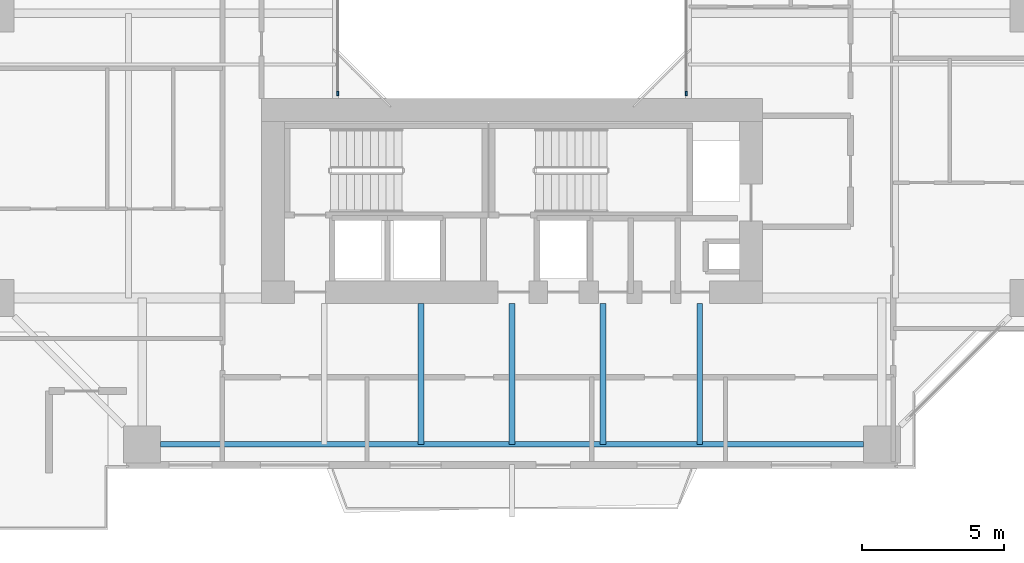
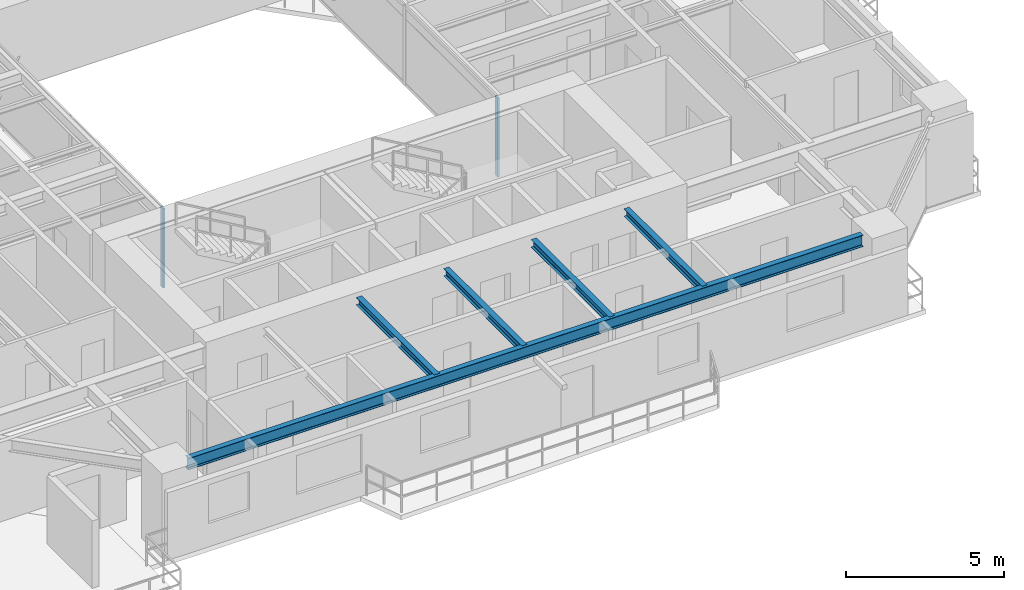
# One storey, part 2 of 22: 5 beams, 2 members, 2 elements without a shape of their own.
"""IFC4 building model written with IfcOpenShell, lengths in metres."""

import ifcopenshell
import ifcopenshell.guid

model = None  # the IFC model being written
_history = None  # IfcOwnerHistory: only IFC2X3 demands one
_inside = {}  # id of a spatial element -> (the spatial element, [elements in it])
_under = {}  # id of a project, library or spatial element -> (it, [spatial elements below it])
_declared = {}  # id of a project -> (the project, [libraries it declares])
_typed = {}  # id of a type object -> (the type object, [elements of that type])
_made_of = {}  # id of a material, layer set ... -> (it, [elements and type objects made of it])


def new_model(schema):
    """Start an empty IFC model of exactly this schema.

    Asked for "IFC4X3", IfcOpenShell would pick the latest addendum, in which some entities
    have other attributes; the version numbers below select the first issue.
    IFC2X3 requires an IfcOwnerHistory on every rooted entity: one is made here for all.
    """
    global model, _history
    if schema == "IFC4X3":
        model = ifcopenshell.file(schema_version=(4, 3, 0, 0))
    else:
        model = ifcopenshell.file(schema=schema)
    _inside.clear()
    _under.clear()
    _declared.clear()
    _typed.clear()
    _made_of.clear()
    _history = None
    if model.schema == "IFC2X3":
        org = make("IfcOrganization", Name="unknown")
        user = make(
            "IfcPersonAndOrganization",
            ThePerson=make("IfcPerson", FamilyName="unknown"),
            TheOrganization=org,
        )
        app = make(
            "IfcApplication",
            ApplicationDeveloper=org,
            Version="unknown",
            ApplicationFullName="unknown",
            ApplicationIdentifier="unknown",
        )
        _history = make(
            "IfcOwnerHistory",
            OwningUser=user,
            OwningApplication=app,
            ChangeAction="ADDED",
            CreationDate=0,
        )
    return model


def make(cls, **values):
    """One entity of the class cls with the attributes given. An attribute that is None is left unset."""
    return model.create_entity(
        cls, **{name: value for name, value in values.items() if value is not None}
    )


def rooted(cls, **values):
    """An entity with a GlobalId (a new one), such as an element, a storey or a relation."""
    return make(cls, GlobalId=ifcopenshell.guid.new(), OwnerHistory=_history, **values)


def si_unit(unit_type, name, prefix=None):
    """IfcSIUnit, for example si_unit("LENGTHUNIT", "METRE", prefix="MILLI")."""
    return make("IfcSIUnit", UnitType=unit_type, Prefix=prefix, Name=name)


def assignment(units):
    """IfcUnitAssignment: the units of a project."""
    return None if units is None else make("IfcUnitAssignment", Units=units)


def point(xyz):
    """IfcCartesianPoint."""
    return None if xyz is None else make("IfcCartesianPoint", Coordinates=xyz)


def direction(xyz):
    """IfcDirection."""
    return None if xyz is None else make("IfcDirection", DirectionRatios=xyz)


def frame(location, z_axis=None, x_axis=None):
    """IfcAxis2Placement3D, a coordinate frame: its origin and axes. An axis left out is left unset."""
    return make(
        "IfcAxis2Placement3D",
        Location=point(location),
        Axis=direction(z_axis),
        RefDirection=direction(x_axis),
    )


def frame_2d(location, x_axis=None):
    """IfcAxis2Placement2D, a coordinate frame in the plane: its origin and x axis."""
    return make(
        "IfcAxis2Placement2D", Location=point(location), RefDirection=direction(x_axis)
    )


def origin():
    """The frame at (0, 0, 0) with its axes left unset."""
    return frame((0.0, 0.0, 0.0))


def origin_2d():
    """The frame at (0, 0) in the plane with its x axis left unset."""
    return frame_2d((0.0, 0.0))


def place(relative_to, where):
    """IfcLocalPlacement: puts the frame where relative to a parent placement (None: the world)."""
    return make(
        "IfcLocalPlacement", PlacementRelTo=relative_to, RelativePlacement=where
    )


def context(
    kind, dimensions, precision=None, world=None, true_north=None, identifier=None
):
    """IfcGeometricRepresentationContext, for example the 3D "Model" context."""
    return make(
        "IfcGeometricRepresentationContext",
        ContextIdentifier=identifier,
        ContextType=kind,
        CoordinateSpaceDimension=dimensions,
        Precision=precision,
        WorldCoordinateSystem=world,
        TrueNorth=true_north,
    )


def subcontext(parent, identifier, kind, view, scale=None):
    """IfcGeometricRepresentationSubContext, for example "Body" below "Model"."""
    return make(
        "IfcGeometricRepresentationSubContext",
        ContextIdentifier=identifier,
        ContextType=kind,
        ParentContext=parent,
        TargetScale=scale,
        TargetView=view,
    )


def project(units=None, contexts=None):
    """IfcProject with its units and contexts."""
    return rooted(
        "IfcProject",
        Name="project",
        RepresentationContexts=contexts,
        UnitsInContext=assignment(units),
    )


def spatial(cls, under=None, at=None, **own):
    """A site, building, storey or space (cls), placed at a placement, below another one or the project."""
    s = rooted(cls, ObjectPlacement=at, **own)
    if under is not None:
        _under.setdefault(under.id(), (under, []))[1].append(s)
    return s


def profile(cls, at=None, kind="AREA", **sizes):
    """A parametric profile (cls). Its sizes go by their IFC names, for example OverallWidth=200.0."""
    return make(cls, ProfileType=kind, Position=at, **sizes)


def rectangle(**sizes):
    """IfcRectangleProfileDef."""
    return profile("IfcRectangleProfileDef", **sizes)


def i_section(**sizes):
    """IfcIShapeProfileDef."""
    return profile("IfcIShapeProfileDef", **sizes)


def extrude(swept, where, along, depth):
    """IfcExtrudedAreaSolid: the profile swept, set in the frame where, extruded along a direction by depth."""
    return make(
        "IfcExtrudedAreaSolid",
        SweptArea=swept,
        Position=where,
        ExtrudedDirection=direction(along),
        Depth=depth,
    )


def shape(context_of_items, identifier, shape_type, items):
    """IfcShapeRepresentation: the items that make up one representation, for example the "Body"."""
    return make(
        "IfcShapeRepresentation",
        ContextOfItems=context_of_items,
        RepresentationIdentifier=identifier,
        RepresentationType=shape_type,
        Items=items,
    )


def source(mapping_origin, context_of_items, identifier, shape_type, items):
    """IfcRepresentationMap: a shape defined once, which mapped items show again and again."""
    return make(
        "IfcRepresentationMap",
        MappingOrigin=mapping_origin,
        MappedRepresentation=shape(context_of_items, identifier, shape_type, items),
    )


def transform(
    local_origin,
    x_axis=None,
    y_axis=None,
    z_axis=None,
    scale=None,
    scale2=None,
    scale3=None,
    uniform=True,
):
    """IfcCartesianTransformationOperator3D, or its non-uniform kind. x_axis, y_axis, z_axis: its Axis1, 2, 3."""
    if uniform:
        return make(
            "IfcCartesianTransformationOperator3D",
            Axis1=direction(x_axis),
            Axis2=direction(y_axis),
            LocalOrigin=point(local_origin),
            Scale=scale,
            Axis3=direction(z_axis),
        )
    return make(
        "IfcCartesianTransformationOperator3DnonUniform",
        Axis1=direction(x_axis),
        Axis2=direction(y_axis),
        LocalOrigin=point(local_origin),
        Scale=scale,
        Axis3=direction(z_axis),
        Scale2=scale2,
        Scale3=scale3,
    )


def mapped(mapping_source, mapping_target):
    """IfcMappedItem: shows the shape of a source again, moved by a transform."""
    return make(
        "IfcMappedItem", MappingSource=mapping_source, MappingTarget=mapping_target
    )


def material(Name=None, Category=None):
    """IfcMaterial."""
    return make("IfcMaterial", Name=Name, Category=Category)


def layer(
    of_material, thickness, ventilated=None, Name=None, Category=None, Priority=None
):
    """IfcMaterialLayer: one layer of a wall or slab, of a material (None: an air gap)."""
    return make(
        "IfcMaterialLayer",
        Material=of_material,
        LayerThickness=thickness,
        IsVentilated=ventilated,
        Name=Name,
        Category=Category,
        Priority=Priority,
    )


def layer_set(layers, Name=None):
    """IfcMaterialLayerSet."""
    return make("IfcMaterialLayerSet", MaterialLayers=layers, LayerSetName=Name)


def material_profile(
    of_material, cross_section, Name=None, Category=None, Priority=None
):
    """IfcMaterialProfile: a cross section and its material."""
    return make(
        "IfcMaterialProfile",
        Name=Name,
        Material=of_material,
        Profile=cross_section,
        Priority=Priority,
        Category=Category,
    )


def profile_set(profiles, Name=None, composite=None):
    """IfcMaterialProfileSet."""
    return make(
        "IfcMaterialProfileSet",
        Name=Name,
        MaterialProfiles=profiles,
        CompositeProfile=composite,
    )


def made_of(thing, what):
    """Note that an element or type object is made of a material, layer set ...; save() writes the relation."""
    if what is not None:
        _made_of.setdefault(what.id(), (what, []))[1].append(thing)
    return thing


def type_object(cls, material=None, **own):
    """A type object (cls), such as IfcWallType, which elements share."""
    return made_of(rooted(cls, **own), material)


def element(
    cls,
    number,
    at=None,
    inside=None,
    cuts=None,
    type_object=None,
    material=None,
    context=None,
    identifier="Body",
    shape_type=None,
    held_by="IfcProductDefinitionShape",
    body=None,
    shapes=None,
    **own,
):
    """One element of the class cls, such as IfcWall. Its Tag is "e" and its number.

    at: its placement. inside: the storey or other place that contains it. cuts: it is an
    opening in that element (IfcRelVoidsElement). A single representation is given by context,
    identifier, shape_type and body (its items); several are given by shapes. held_by: the class
    of the entity that holds the representations. save() writes the other relations.
    """
    e = rooted(cls, Tag="e%d" % number, ObjectPlacement=at, **own)
    if body is not None:
        shapes = [shape(context, identifier, shape_type, body)]
    if shapes is not None:
        e.Representation = make(held_by, Representations=shapes)
    if inside is not None:
        _inside.setdefault(inside.id(), (inside, []))[1].append(e)
    if cuts is not None:
        rooted(
            "IfcRelVoidsElement", RelatingBuildingElement=cuts, RelatedOpeningElement=e
        )
    if type_object is not None:
        _typed.setdefault(type_object.id(), (type_object, []))[1].append(e)
    return made_of(e, material)


def aggregate(whole, parts):
    """IfcRelAggregates: a whole, such as a stair, and the parts it consists of."""
    return rooted("IfcRelAggregates", RelatingObject=whole, RelatedObjects=parts)


def save(model, path):
    """Write the relations noted so far, then the file.

    IfcRelAggregates (storeys below a building ...), IfcRelContainedInSpatialStructure (elements
    in a storey), IfcRelDefinesByType, IfcRelAssociatesMaterial and IfcRelDeclares: one each for
    every whole, place, type object, material and project.
    """
    for whole, parts in _under.values():
        aggregate(whole, parts)
    for where, things in _inside.values():
        rooted(
            "IfcRelContainedInSpatialStructure",
            RelatedElements=things,
            RelatingStructure=where,
        )
    for kind, things in _typed.values():
        rooted("IfcRelDefinesByType", RelatedObjects=things, RelatingType=kind)
    for what, things in _made_of.values():
        rooted("IfcRelAssociatesMaterial", RelatedObjects=things, RelatingMaterial=what)
    for by, libraries in _declared.values():
        rooted("IfcRelDeclares", RelatingContext=by, RelatedDefinitions=libraries)
    model.write(path)


model = new_model("IFC4")

# Units and contexts
model_context = context("Model", 3, precision=1e-05, world=origin(), true_north=direction((0.0, 1.0)))
body_context = subcontext(model_context, "Body", "Model", "MODEL_VIEW")
ifc_project = project(units=[si_unit("LENGTHUNIT", "METRE"), si_unit("AREAUNIT", "SQUARE_METRE"), si_unit("VOLUMEUNIT", "CUBIC_METRE"), si_unit("PLANEANGLEUNIT", "RADIAN"), si_unit("MASSUNIT", "GRAM", prefix="KILO"), si_unit("THERMODYNAMICTEMPERATUREUNIT", "KELVIN"), si_unit("POWERUNIT", "WATT")], contexts=[model_context])

# Site, building, storey
site_placement = place(None, origin())
site = spatial("IfcSite", under=ifc_project, at=site_placement, CompositionType="ELEMENT")
building_placement = place(site_placement, origin())
building = spatial("IfcBuilding", under=site, at=building_placement, Name="Qiaomeng Ring Towers", CompositionType="ELEMENT")
storey_placement = place(building_placement, frame((0.0, 0.0, 53.5)))
storey = spatial("IfcBuildingStorey", under=building, at=storey_placement, Name="L14", CompositionType="ELEMENT", Elevation=53.5)

# Beams
ifc_material_1 = material(Name="Steel Q355B", Category="steel")
ifc_material_profile_1 = material_profile(ifc_material_1, i_section(OverallWidth=0.199951171875, OverallDepth=0.449951171875, WebThickness=0.009033203125, FlangeThickness=0.013916015625, FilletRadius=0.01806640625, at=origin_2d()), Name="HN 450x200x9x14")
ifc_profile_set_1 = profile_set([ifc_material_profile_1], Name="Steel Q355B")
beam_type_1 = type_object("IfcBeamType", Name="STR-BM-HN450", PredefinedType="SPANDREL", material=ifc_profile_set_1)
shared_shape_1 = source(origin(), body_context, "Body", "SweptSolid", [
    extrude(i_section(OverallWidth=0.199951171875, OverallDepth=0.449951171875, WebThickness=0.009033203125, FlangeThickness=0.013916015625, FilletRadius=0.01806640625, at=origin_2d()), origin(), (0.0, 0.0, 1.0), 24.7021484375),
])
beam_placement = place(storey_placement, frame((6.64892578125, 4.85009765625, 2.844970703125), z_axis=(1.0, 0.0, 0.0), x_axis=(0.0, 1.0, 0.0)))
element("IfcBeam", 1, at=beam_placement, inside=storey, type_object=beam_type_1, Name="L14 beam STR-SP-L14-T1-S1-S2", PredefinedType="SPANDREL", context=body_context, shape_type="MappedRepresentation", body=[
    mapped(shared_shape_1, transform((0.0, 0.0, 0.0), x_axis=(1.0, 0.0, 0.0), y_axis=(0.0, 1.0, 0.0), z_axis=(0.0, 0.0, 1.0), scale=1.0)),
])
ifc_material_profile_2 = material_profile(ifc_material_1, i_section(OverallWidth=0.199951171875, OverallDepth=0.2939453125, WebThickness=0.008056640625, FlangeThickness=0.011962890625, FilletRadius=0.01806640625, at=origin_2d()), Name="HM 294x200x8x12")
ifc_profile_set_2 = profile_set([ifc_material_profile_2], Name="Steel Q355B")
beam_type_2 = type_object("IfcBeamType", Name="STR-BM-HM294", PredefinedType="JOIST", material=ifc_profile_set_2)
shared_shape_2 = source(origin(), body_context, "Body", "SweptSolid", [
    extrude(i_section(OverallWidth=0.199951171875, OverallDepth=0.2939453125, WebThickness=0.008056640625, FlangeThickness=0.011962890625, FilletRadius=0.01806640625, at=origin_2d()), origin(), (0.0, 0.0, 1.0), 4.949951171875),
])
for number, where, z_axis, x_axis, name in (
    (2, (15.800048828125, 4.85009765625, 2.923095703125), (0.0, 1.0, 0.0), (-1.0, 0.0, 0.0), "L14 beam STR-JST-L14-T1S-2"),
    (3, (19.0, 4.85009765625, 2.923095703125), (0.0, 1.0, 0.0), (-1.0, 0.0, 0.0), "L14 beam STR-JST-L14-T1S-3"),
    (4, (22.199951171875, 4.85009765625, 2.923095703125), (0.0, 1.0, 0.0), (-1.0, 0.0, 0.0), "L14 beam STR-JST-L14-T1S-4"),
    (5, (25.60009765625, 4.85009765625, 2.923095703125), (0.0, 1.0, 0.0), (-1.0, 0.0, 0.0), "L14 beam STR-JST-L14-T1S-5"),
):
    element("IfcBeam", number, at=place(storey_placement, frame(where, z_axis=z_axis, x_axis=x_axis)), inside=storey, type_object=beam_type_2, Name=name, PredefinedType="JOIST", context=body_context, shape_type="MappedRepresentation", body=[
        mapped(shared_shape_2, transform((0.0, 0.0, 0.0), x_axis=(1.0, 0.0, 0.0), y_axis=(0.0, 1.0, 0.0), z_axis=(0.0, 0.0, 1.0), scale=1.0)),
    ])

# Curtain wall, member
ifc_material_2 = material(Name="Fluorocarbon dark-grey aluminium", Category="aluminium")
ifc_layer = layer(ifc_material_2, 0.139892578125, Name="Fluorocarbon dark-grey aluminium")
ifc_layer_set = layer_set([ifc_layer], Name="Fluorocarbon dark-grey aluminium")
curtain_wall_type = type_object("IfcCurtainWallType", Name="ARC-CW-4", PredefinedType="NOTDEFINED", material=ifc_layer_set)
curtain_wall_1_placement = place(storey_placement, origin())
curtain_wall_1 = element("IfcCurtainWall", 6, at=curtain_wall_1_placement, inside=storey, type_object=curtain_wall_type, Name="L14 Curtain Wall CW4", PredefinedType="NOTDEFINED")
ifc_material_profile_3 = material_profile(ifc_material_2, rectangle(XDim=0.06494140625, YDim=0.159912109375, at=origin_2d()), Name="ALU MULL 65x160")
ifc_profile_set_3 = profile_set([ifc_material_profile_3], Name="Fluorocarbon dark-grey aluminium")
member_type = type_object("IfcMemberType", Name="ARC-CWM-140", PredefinedType="MULLION", material=ifc_profile_set_3)
shared_shape_3 = source(origin(), body_context, "Body", "SweptSolid", [
    extrude(rectangle(XDim=0.06494140625, YDim=0.159912109375, at=origin_2d()), origin(), (0.0, 0.0, 1.0), 3.070068359375),
])
member_1_placement = place(storey_placement, frame((12.8798828125, 17.1826171875, 0.0), z_axis=(0.0, 0.0, 1.0), x_axis=(-1.0, 0.0, 0.0)))
member_1 = element("IfcMember", 7, at=member_1_placement, type_object=member_type, Name="CW4 mullion 1", PredefinedType="MULLION", context=body_context, shape_type="MappedRepresentation", body=[
    mapped(shared_shape_3, transform((0.0, 0.0, 0.0), x_axis=(1.0, 0.0, 0.0), y_axis=(0.0, 1.0, 0.0), z_axis=(0.0, 0.0, 1.0), scale=1.0)),
])
aggregate(curtain_wall_1, [member_1])

curtain_wall_2_placement = place(storey_placement, origin())
curtain_wall_2 = element("IfcCurtainWall", 8, at=curtain_wall_2_placement, inside=storey, type_object=curtain_wall_type, Name="L14 Curtain Wall CW4", PredefinedType="NOTDEFINED")
member_2_placement = place(storey_placement, frame((25.1201171875, 17.1826171875, 0.0), z_axis=(0.0, 0.0, 1.0), x_axis=(-1.0, 0.0, 0.0)))
member_2 = element("IfcMember", 9, at=member_2_placement, type_object=member_type, Name="CW4 mullion 1", PredefinedType="MULLION", context=body_context, shape_type="MappedRepresentation", body=[
    mapped(shared_shape_3, transform((0.0, 0.0, 0.0), x_axis=(1.0, 0.0, 0.0), y_axis=(0.0, 1.0, 0.0), z_axis=(0.0, 0.0, 1.0), scale=1.0)),
])
aggregate(curtain_wall_2, [member_2])

save(model, "model.ifc")
